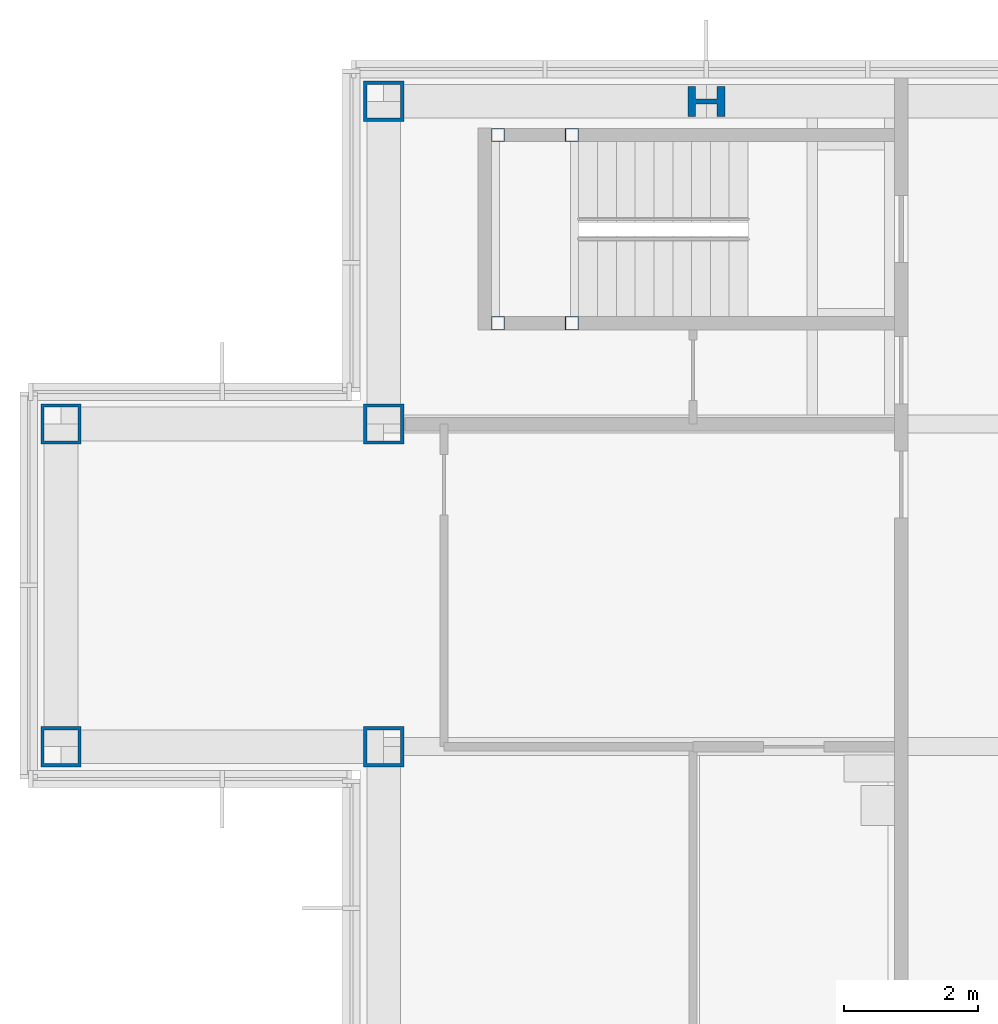
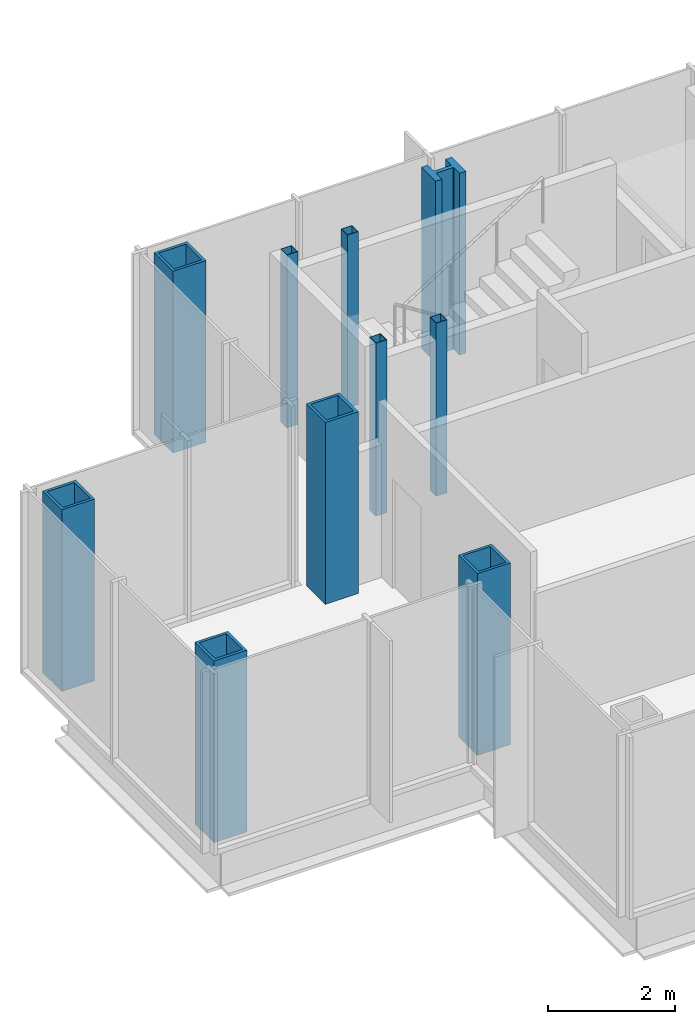
# One storey, part 3 of 15: 10 columns.
"""IFC4 building model written with IfcOpenShell, lengths in metres."""

import ifcopenshell
import ifcopenshell.guid

model = None  # the IFC model being written
_history = None  # IfcOwnerHistory: only IFC2X3 demands one
_inside = {}  # id of a spatial element -> (the spatial element, [elements in it])
_under = {}  # id of a project, library or spatial element -> (it, [spatial elements below it])
_declared = {}  # id of a project -> (the project, [libraries it declares])
_typed = {}  # id of a type object -> (the type object, [elements of that type])
_made_of = {}  # id of a material, layer set ... -> (it, [elements and type objects made of it])


def new_model(schema):
    """Start an empty IFC model of exactly this schema.

    Asked for "IFC4X3", IfcOpenShell would pick the latest addendum, in which some entities
    have other attributes; the version numbers below select the first issue.
    IFC2X3 requires an IfcOwnerHistory on every rooted entity: one is made here for all.
    """
    global model, _history
    if schema == "IFC4X3":
        model = ifcopenshell.file(schema_version=(4, 3, 0, 0))
    else:
        model = ifcopenshell.file(schema=schema)
    _inside.clear()
    _under.clear()
    _declared.clear()
    _typed.clear()
    _made_of.clear()
    _history = None
    if model.schema == "IFC2X3":
        org = make("IfcOrganization", Name="unknown")
        user = make(
            "IfcPersonAndOrganization",
            ThePerson=make("IfcPerson", FamilyName="unknown"),
            TheOrganization=org,
        )
        app = make(
            "IfcApplication",
            ApplicationDeveloper=org,
            Version="unknown",
            ApplicationFullName="unknown",
            ApplicationIdentifier="unknown",
        )
        _history = make(
            "IfcOwnerHistory",
            OwningUser=user,
            OwningApplication=app,
            ChangeAction="ADDED",
            CreationDate=0,
        )
    return model


def make(cls, **values):
    """One entity of the class cls with the attributes given. An attribute that is None is left unset."""
    return model.create_entity(
        cls, **{name: value for name, value in values.items() if value is not None}
    )


def rooted(cls, **values):
    """An entity with a GlobalId (a new one), such as an element, a storey or a relation."""
    return make(cls, GlobalId=ifcopenshell.guid.new(), OwnerHistory=_history, **values)


def si_unit(unit_type, name, prefix=None):
    """IfcSIUnit, for example si_unit("LENGTHUNIT", "METRE", prefix="MILLI")."""
    return make("IfcSIUnit", UnitType=unit_type, Prefix=prefix, Name=name)


def assignment(units):
    """IfcUnitAssignment: the units of a project."""
    return None if units is None else make("IfcUnitAssignment", Units=units)


def point(xyz):
    """IfcCartesianPoint."""
    return None if xyz is None else make("IfcCartesianPoint", Coordinates=xyz)


def direction(xyz):
    """IfcDirection."""
    return None if xyz is None else make("IfcDirection", DirectionRatios=xyz)


def frame(location, z_axis=None, x_axis=None):
    """IfcAxis2Placement3D, a coordinate frame: its origin and axes. An axis left out is left unset."""
    return make(
        "IfcAxis2Placement3D",
        Location=point(location),
        Axis=direction(z_axis),
        RefDirection=direction(x_axis),
    )


def frame_2d(location, x_axis=None):
    """IfcAxis2Placement2D, a coordinate frame in the plane: its origin and x axis."""
    return make(
        "IfcAxis2Placement2D", Location=point(location), RefDirection=direction(x_axis)
    )


def origin():
    """The frame at (0, 0, 0) with its axes left unset."""
    return frame((0.0, 0.0, 0.0))


def origin_2d():
    """The frame at (0, 0) in the plane with its x axis left unset."""
    return frame_2d((0.0, 0.0))


def place(relative_to, where):
    """IfcLocalPlacement: puts the frame where relative to a parent placement (None: the world)."""
    return make(
        "IfcLocalPlacement", PlacementRelTo=relative_to, RelativePlacement=where
    )


def context(
    kind, dimensions, precision=None, world=None, true_north=None, identifier=None
):
    """IfcGeometricRepresentationContext, for example the 3D "Model" context."""
    return make(
        "IfcGeometricRepresentationContext",
        ContextIdentifier=identifier,
        ContextType=kind,
        CoordinateSpaceDimension=dimensions,
        Precision=precision,
        WorldCoordinateSystem=world,
        TrueNorth=true_north,
    )


def subcontext(parent, identifier, kind, view, scale=None):
    """IfcGeometricRepresentationSubContext, for example "Body" below "Model"."""
    return make(
        "IfcGeometricRepresentationSubContext",
        ContextIdentifier=identifier,
        ContextType=kind,
        ParentContext=parent,
        TargetScale=scale,
        TargetView=view,
    )


def project(units=None, contexts=None):
    """IfcProject with its units and contexts."""
    return rooted(
        "IfcProject",
        Name="project",
        RepresentationContexts=contexts,
        UnitsInContext=assignment(units),
    )


def spatial(cls, under=None, at=None, **own):
    """A site, building, storey or space (cls), placed at a placement, below another one or the project."""
    s = rooted(cls, ObjectPlacement=at, **own)
    if under is not None:
        _under.setdefault(under.id(), (under, []))[1].append(s)
    return s


def profile(cls, at=None, kind="AREA", **sizes):
    """A parametric profile (cls). Its sizes go by their IFC names, for example OverallWidth=200.0."""
    return make(cls, ProfileType=kind, Position=at, **sizes)


def hollow_rectangle(**sizes):
    """IfcRectangleHollowProfileDef."""
    return profile("IfcRectangleHollowProfileDef", **sizes)


def i_section(**sizes):
    """IfcIShapeProfileDef."""
    return profile("IfcIShapeProfileDef", **sizes)


def extrude(swept, where, along, depth):
    """IfcExtrudedAreaSolid: the profile swept, set in the frame where, extruded along a direction by depth."""
    return make(
        "IfcExtrudedAreaSolid",
        SweptArea=swept,
        Position=where,
        ExtrudedDirection=direction(along),
        Depth=depth,
    )


def shape(context_of_items, identifier, shape_type, items):
    """IfcShapeRepresentation: the items that make up one representation, for example the "Body"."""
    return make(
        "IfcShapeRepresentation",
        ContextOfItems=context_of_items,
        RepresentationIdentifier=identifier,
        RepresentationType=shape_type,
        Items=items,
    )


def material(Name=None, Category=None):
    """IfcMaterial."""
    return make("IfcMaterial", Name=Name, Category=Category)


def material_profile(
    of_material, cross_section, Name=None, Category=None, Priority=None
):
    """IfcMaterialProfile: a cross section and its material."""
    return make(
        "IfcMaterialProfile",
        Name=Name,
        Material=of_material,
        Profile=cross_section,
        Priority=Priority,
        Category=Category,
    )


def profile_set(profiles, Name=None, composite=None):
    """IfcMaterialProfileSet."""
    return make(
        "IfcMaterialProfileSet",
        Name=Name,
        MaterialProfiles=profiles,
        CompositeProfile=composite,
    )


def made_of(thing, what):
    """Note that an element or type object is made of a material, layer set ...; save() writes the relation."""
    if what is not None:
        _made_of.setdefault(what.id(), (what, []))[1].append(thing)
    return thing


def type_object(cls, material=None, **own):
    """A type object (cls), such as IfcWallType, which elements share."""
    return made_of(rooted(cls, **own), material)


def element(
    cls,
    number,
    at=None,
    inside=None,
    cuts=None,
    type_object=None,
    material=None,
    context=None,
    identifier="Body",
    shape_type=None,
    held_by="IfcProductDefinitionShape",
    body=None,
    shapes=None,
    **own,
):
    """One element of the class cls, such as IfcWall. Its Tag is "e" and its number.

    at: its placement. inside: the storey or other place that contains it. cuts: it is an
    opening in that element (IfcRelVoidsElement). A single representation is given by context,
    identifier, shape_type and body (its items); several are given by shapes. held_by: the class
    of the entity that holds the representations. save() writes the other relations.
    """
    e = rooted(cls, Tag="e%d" % number, ObjectPlacement=at, **own)
    if body is not None:
        shapes = [shape(context, identifier, shape_type, body)]
    if shapes is not None:
        e.Representation = make(held_by, Representations=shapes)
    if inside is not None:
        _inside.setdefault(inside.id(), (inside, []))[1].append(e)
    if cuts is not None:
        rooted(
            "IfcRelVoidsElement", RelatingBuildingElement=cuts, RelatedOpeningElement=e
        )
    if type_object is not None:
        _typed.setdefault(type_object.id(), (type_object, []))[1].append(e)
    return made_of(e, material)


def aggregate(whole, parts):
    """IfcRelAggregates: a whole, such as a stair, and the parts it consists of."""
    return rooted("IfcRelAggregates", RelatingObject=whole, RelatedObjects=parts)


def save(model, path):
    """Write the relations noted so far, then the file.

    IfcRelAggregates (storeys below a building ...), IfcRelContainedInSpatialStructure (elements
    in a storey), IfcRelDefinesByType, IfcRelAssociatesMaterial and IfcRelDeclares: one each for
    every whole, place, type object, material and project.
    """
    for whole, parts in _under.values():
        aggregate(whole, parts)
    for where, things in _inside.values():
        rooted(
            "IfcRelContainedInSpatialStructure",
            RelatedElements=things,
            RelatingStructure=where,
        )
    for kind, things in _typed.values():
        rooted("IfcRelDefinesByType", RelatedObjects=things, RelatingType=kind)
    for what, things in _made_of.values():
        rooted("IfcRelAssociatesMaterial", RelatedObjects=things, RelatingMaterial=what)
    for by, libraries in _declared.values():
        rooted("IfcRelDeclares", RelatingContext=by, RelatedDefinitions=libraries)
    model.write(path)


model = new_model("IFC4")

# Units and contexts
model_context = context("Model", 3, precision=1e-05, world=origin(), true_north=direction((0.0, 1.0)))
body_context = subcontext(model_context, "Body", "Model", "MODEL_VIEW")
ifc_project = project(units=[si_unit("LENGTHUNIT", "METRE"), si_unit("AREAUNIT", "SQUARE_METRE"), si_unit("VOLUMEUNIT", "CUBIC_METRE"), si_unit("PLANEANGLEUNIT", "RADIAN"), si_unit("MASSUNIT", "GRAM", prefix="KILO")], contexts=[model_context])

# Site, building, storey
site_placement = place(None, origin())
site = spatial("IfcSite", under=ifc_project, at=site_placement, CompositionType="ELEMENT")
building_placement = place(site_placement, origin())
building = spatial("IfcBuilding", under=site, at=building_placement, Name="Kvirike Care Tower", CompositionType="ELEMENT")
storey_placement = place(building_placement, frame((0.0, 0.0, 236.5)))
storey = spatial("IfcBuildingStorey", under=building, at=storey_placement, Name="L65", CompositionType="ELEMENT", Elevation=236.5)

# Columns
ifc_material_1 = material(Name="Steel S460", Category="steel")
ifc_material_profile_1 = material_profile(ifc_material_1, hollow_rectangle(XDim=0.60009765625, YDim=0.60009765625, WallThickness=0.050048828125, at=origin_2d()), Name="BX 600x600x50")
ifc_profile_set_1 = profile_set([ifc_material_profile_1], Name="Steel S460")
column_type_1 = type_object("IfcColumnType", Name="COLUMN BX 600x600x50", PredefinedType="COLUMN", material=ifc_profile_set_1)
for number, where, z_axis, x_axis, name in (
    (1, (0.0, 33.60009765625, 0.0), (0.0, 0.0, 1.0), (0.0, 1.0, 0.0), "Column H3 L65"),
    (2, (0.0, 38.39990234375, 0.0), (0.0, 0.0, 1.0), (0.0, 1.0, 0.0), "Column J3 L65"),
    (3, (4.800048828125, 33.60009765625, 0.0), (0.0, 0.0, 1.0), (0.0, 1.0, 0.0), "Column H4 L65"),
    (4, (4.800048828125, 38.39990234375, 0.0), (0.0, 0.0, 1.0), (0.0, 1.0, 0.0), "Column J4 L65"),
    (5, (4.800048828125, 43.199951171875, 0.0), (0.0, 0.0, 1.0), (0.0, 1.0, 0.0), "Column K4 L65"),
):
    element("IfcColumn", number, at=place(storey_placement, frame(where, z_axis=z_axis, x_axis=x_axis)), inside=storey, type_object=column_type_1, Name=name, PredefinedType="COLUMN", context=body_context, shape_type="SweptSolid", body=[
        extrude(hollow_rectangle(XDim=0.60009765625, YDim=0.60009765625, WallThickness=0.050048828125, at=origin_2d()), origin(), (0.0, 0.0, 1.0), 3.5),
    ])
ifc_material_2 = material(Name="Steel S460", Category="steel")
ifc_material_profile_2 = material_profile(ifc_material_2, i_section(OverallWidth=0.447998046875, OverallDepth=0.550048828125, WebThickness=0.072021484375, FlangeThickness=0.114990234375, FilletRadius=0.014892578125, at=origin_2d()), Name="HD 400x990")
ifc_profile_set_2 = profile_set([ifc_material_profile_2], Name="Steel S460")
column_type_2 = type_object("IfcColumnType", Name="COLUMN HD 400x990", PredefinedType="COLUMN", material=ifc_profile_set_2)
column_placement = place(storey_placement, frame((9.60009765625, 43.199951171875, 0.0), z_axis=(0.0, 0.0, 1.0), x_axis=(0.0, 1.0, 0.0)))
element("IfcColumn", 6, at=column_placement, inside=storey, type_object=column_type_2, Name="Column K5 L65", PredefinedType="COLUMN", context=body_context, shape_type="SweptSolid", body=[
    extrude(i_section(OverallWidth=0.447998046875, OverallDepth=0.550048828125, WebThickness=0.072021484375, FlangeThickness=0.114990234375, FilletRadius=0.014892578125, at=origin_2d()), origin(), (0.0, 0.0, 1.0), 3.5),
])
ifc_material_3 = material(Name="Steel S460", Category="steel")
ifc_material_profile_3 = material_profile(ifc_material_3, hollow_rectangle(XDim=0.199951171875, YDim=0.199951171875, WallThickness=0.008056640625, at=origin_2d()), Name="SHS 200x200x8")
ifc_profile_set_3 = profile_set([ifc_material_profile_3], Name="Steel S460")
column_type_3 = type_object("IfcColumnType", Name="STAIR POST SHS 200x200x8", PredefinedType="COLUMN", material=ifc_profile_set_3)
for number, where, z_axis, x_axis, name in (
    (7, (6.5, 42.699951171875, 0.0), (0.0, 0.0, 1.0), (1.0, 0.0, 0.0), "Stair 1 post 1 L65"),
    (8, (6.5, 39.89990234375, 0.0), (0.0, 0.0, 1.0), (1.0, 0.0, 0.0), "Stair 1 post 2 L65"),
    (9, (7.60009765625, 42.699951171875, 0.0), (0.0, 0.0, 1.0), (1.0, 0.0, 0.0), "Stair 1 post 3 L65"),
    (10, (7.60009765625, 39.89990234375, 0.0), (0.0, 0.0, 1.0), (1.0, 0.0, 0.0), "Stair 1 post 4 L65"),
):
    element("IfcColumn", number, at=place(storey_placement, frame(where, z_axis=z_axis, x_axis=x_axis)), inside=storey, type_object=column_type_3, Name=name, PredefinedType="COLUMN", context=body_context, shape_type="SweptSolid", body=[
        extrude(hollow_rectangle(XDim=0.199951171875, YDim=0.199951171875, WallThickness=0.008056640625, at=origin_2d()), origin(), (0.0, 0.0, 1.0), 3.330078125),
    ])

save(model, "model.ifc")
